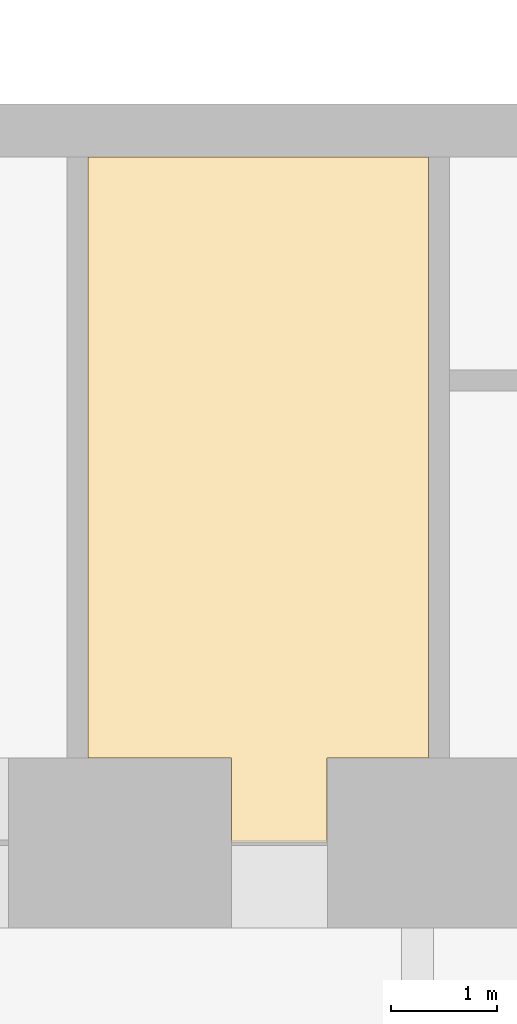
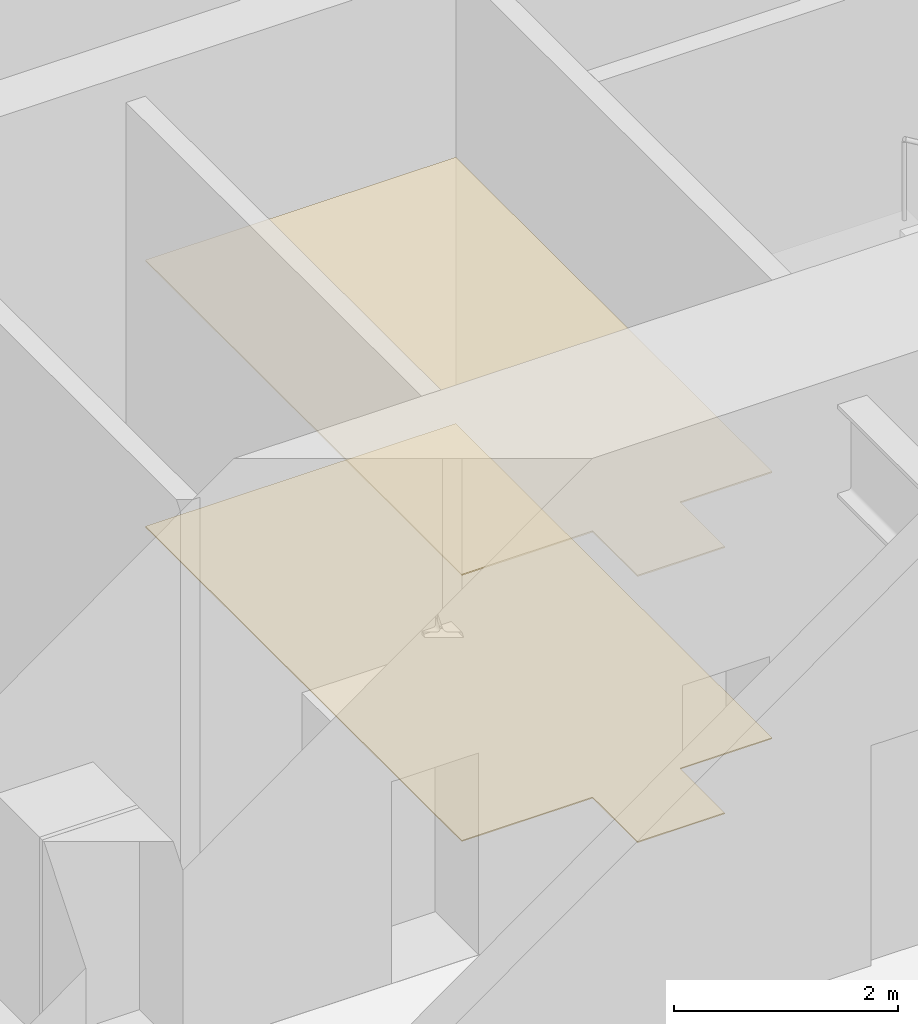
# One storey, part 11 of 13: 2 coverings.
"""IFC4 building model written with IfcOpenShell, lengths in metres."""

from ifc_helpers import new_model, si_unit, direction, frame, origin, place, context, subcontext, project, spatial, polyline, outline, extrude, material, layer, layer_set, type_object, element, save


model = new_model("IFC4")

# Units and contexts
model_context = context("Model", 3, precision=1e-05, world=origin(), true_north=direction((0.0, 1.0)))
body_context = subcontext(model_context, "Body", "Model", "MODEL_VIEW")
ifc_project = project(units=[si_unit("LENGTHUNIT", "METRE"), si_unit("AREAUNIT", "SQUARE_METRE"), si_unit("VOLUMEUNIT", "CUBIC_METRE"), si_unit("PLANEANGLEUNIT", "RADIAN"), si_unit("MASSUNIT", "GRAM", prefix="KILO")], contexts=[model_context])

# Site, building, storey
site_placement = place(None, origin())
site = spatial("IfcSite", under=ifc_project, at=site_placement, CompositionType="ELEMENT")
building_placement = place(site_placement, origin())
building = spatial("IfcBuilding", under=site, at=building_placement, Name="Tarfa Lantern Tower", CompositionType="ELEMENT")
storey_placement = place(building_placement, frame((0.0, 0.0, 391.300048828125)))
storey = spatial("IfcBuildingStorey", under=building, at=storey_placement, Name="L89", CompositionType="ELEMENT", Elevation=391.300048828125)

# Coverings
ifc_material_1 = material(Name="Moisture-resistant plasterboard", Category="finish")
ifc_layer_1 = layer(ifc_material_1, 0.014892578125)
ifc_layer_set_1 = layer_set([ifc_layer_1], Name="CL2 MOISTURE-RESISTANT PLASTERBOARD CEILING 15")
covering_type_1 = type_object("IfcCoveringType", Name="CL2 MOISTURE-RESISTANT PLASTERBOARD CEILING 15", PredefinedType="CEILING", material=ifc_layer_set_1)
covering_1_placement = place(storey_placement, frame((0.0, 0.0, 2.89990234375)))
element("IfcCovering", 1, at=covering_1_placement, inside=storey, type_object=covering_type_1, Name="Ceiling L89-13", PredefinedType="CEILING", context=body_context, shape_type="SweptSolid", body=[
    extrude(outline(polyline([(-0.85009765625, -10.699951171875), (0.10009765625, -10.699951171875), (0.10009765625, -5.050048828125), (-3.10009765625, -5.050048828125), (-3.10009765625, -10.699951171875), (-1.75, -10.699951171875), (-1.75, -11.5), (-0.85009765625, -11.5), (-0.85009765625, -10.699951171875)])), origin(), (0.0, 0.0, 1.0), 0.01513671875),
])
ifc_material_2 = material(Name="Porcelain floor tile", Category="finish")
ifc_layer_2 = layer(ifc_material_2, 0.011962890625)
ifc_layer_set_2 = layer_set([ifc_layer_2], Name="FL3 CERAMIC TILE 12")
covering_type_2 = type_object("IfcCoveringType", Name="FL3 CERAMIC TILE 12", PredefinedType="FLOORING", material=ifc_layer_set_2)
covering_2_placement = place(storey_placement, origin())
element("IfcCovering", 2, at=covering_2_placement, inside=storey, type_object=covering_type_2, Name="Floor finish L89-13", PredefinedType="FLOORING", context=body_context, shape_type="SweptSolid", body=[
    extrude(outline(polyline([(-0.85009765625, -10.699951171875), (0.10009765625, -10.699951171875), (0.10009765625, -5.050048828125), (-3.10009765625, -5.050048828125), (-3.10009765625, -10.699951171875), (-1.75, -10.699951171875), (-1.75, -11.5), (-0.85009765625, -11.5), (-0.85009765625, -10.699951171875)])), origin(), (0.0, 0.0, 1.0), 0.011962890625),
])

save(model, "model.ifc")
